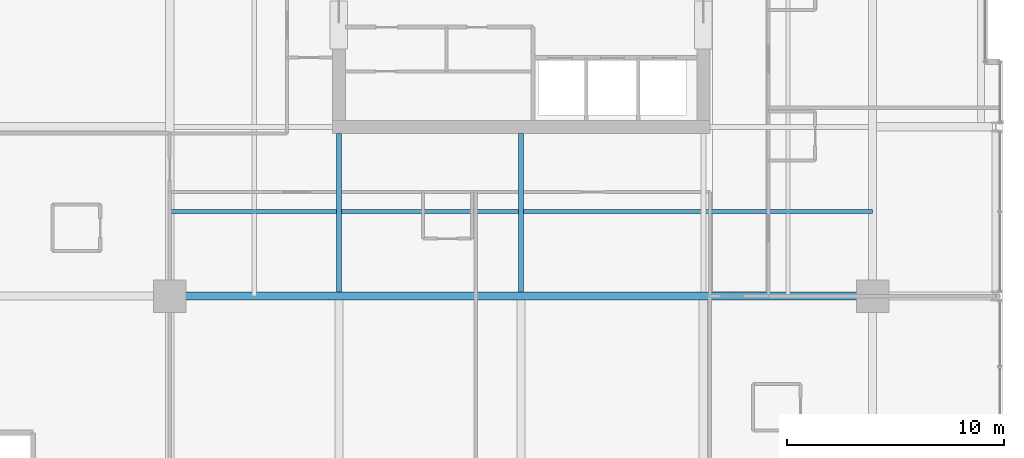
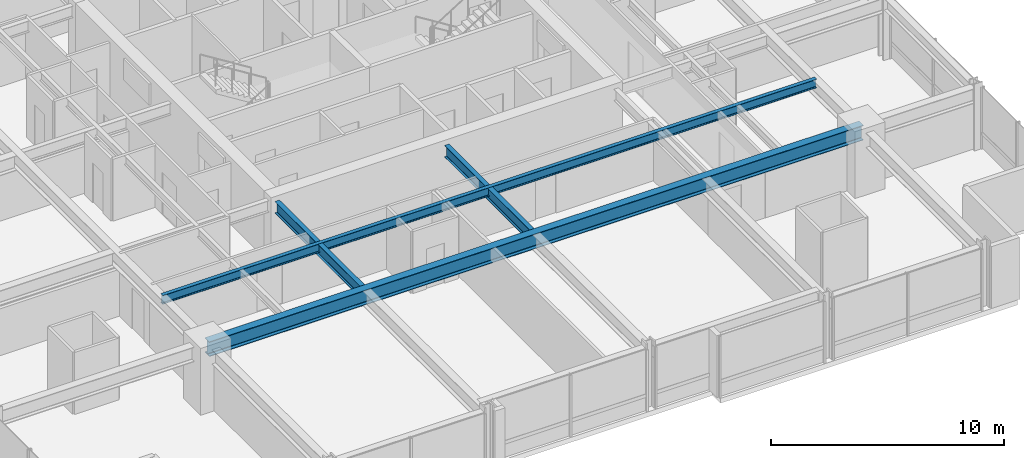
# One storey, part 6 of 33: 4 beams.
"""IFC4 building model written with IfcOpenShell, lengths in metres."""

from ifc_helpers import new_model, si_unit, direction, frame, origin, origin_2d, place, context, subcontext, project, spatial, i_section, extrude, material, material_profile, profile_set, type_object, element, save


model = new_model("IFC4")

# Units and contexts
model_context = context("Model", 3, precision=1e-05, world=origin(), true_north=direction((0.0, 1.0)))
body_context = subcontext(model_context, "Body", "Model", "MODEL_VIEW")
ifc_project = project(units=[si_unit("LENGTHUNIT", "METRE"), si_unit("AREAUNIT", "SQUARE_METRE"), si_unit("VOLUMEUNIT", "CUBIC_METRE"), si_unit("PLANEANGLEUNIT", "RADIAN"), si_unit("MASSUNIT", "GRAM", prefix="KILO")], contexts=[model_context])

# Site, building, storey
site_placement = place(None, origin())
site = spatial("IfcSite", under=ifc_project, at=site_placement, CompositionType="ELEMENT")
building_placement = place(site_placement, origin())
building = spatial("IfcBuilding", under=site, at=building_placement, Name="Drelvath Grand Hotel", CompositionType="ELEMENT")
storey_placement = place(building_placement, frame((0.0, 0.0, 105.800048828125)))
storey = spatial("IfcBuildingStorey", under=building, at=storey_placement, Name="L26", CompositionType="ELEMENT", Elevation=105.800048828125)

# Beams
ifc_material = material(Name="Steel ASTM A992 Gr 50", Category="steel")
ifc_material_profile_1 = material_profile(ifc_material, i_section(OverallWidth=0.19140625, OverallDepth=0.4599609375, WebThickness=0.010009765625, FlangeThickness=0.01611328125, FilletRadius=0.01611328125, at=origin_2d()), Name="W18X55")
ifc_profile_set_1 = profile_set([ifc_material_profile_1], Name="Steel ASTM A992 Gr 50")
beam_type_1 = type_object("IfcBeamType", Name="Composite Floor Joist W18X55", PredefinedType="JOIST", material=ifc_profile_set_1)
beam_1_placement = place(storey_placement, frame((-16.199951171875, 14.699951171875, 3.010009765625), z_axis=(1.0, 0.0, 0.0), x_axis=(0.0, 1.0, 0.0)))
element("IfcBeam", 1, at=beam_1_placement, inside=storey, type_object=beam_type_1, Name="L26 Floor Joist J1", PredefinedType="JOIST", context=body_context, shape_type="SweptSolid", body=[
    extrude(i_section(OverallWidth=0.19140625, OverallDepth=0.4599609375, WebThickness=0.010009765625, FlangeThickness=0.01611328125, FilletRadius=0.01611328125, at=origin_2d()), origin(), (0.0, 0.0, 1.0), 32.39990234375),
])
ifc_material_profile_2 = material_profile(ifc_material, i_section(OverallWidth=0.228271484375, OverallDepth=0.607666015625, WebThickness=0.01123046875, FlangeThickness=0.017333984375, FilletRadius=0.02001953125, at=origin_2d()), Name="W24X76")
ifc_profile_set_2 = profile_set([ifc_material_profile_2], Name="Steel ASTM A992 Gr 50")
beam_type_2 = type_object("IfcBeamType", Name="Primary Floor Girder W24X76", PredefinedType="BEAM", material=ifc_profile_set_2)
for number, where, z_axis, x_axis, name in (
    (2, (-8.39990234375, 10.990234375, 2.93603515625), (0.0, 1.0, 0.0), (-1.0, 0.0, 0.0), "L26 South Core Tie 4"),
    (3, (0.0, 10.990234375, 2.93603515625), (0.0, 1.0, 0.0), (-1.0, 0.0, 0.0), "L26 South Core Tie 5"),
):
    element("IfcBeam", number, at=place(storey_placement, frame(where, z_axis=z_axis, x_axis=x_axis)), inside=storey, type_object=beam_type_2, Name=name, PredefinedType="BEAM", context=body_context, shape_type="SweptSolid", body=[
        extrude(i_section(OverallWidth=0.228271484375, OverallDepth=0.607666015625, WebThickness=0.01123046875, FlangeThickness=0.017333984375, FilletRadius=0.02001953125, at=origin_2d()), origin(), (0.0, 0.0, 1.0), 7.309814453125),
    ])
ifc_material_profile_3 = material_profile(ifc_material, i_section(OverallWidth=0.380615234375, OverallDepth=0.773193359375, WebThickness=0.0166015625, FlangeThickness=0.027099609375, FilletRadius=0.02490234375, at=origin_2d()), Name="W30X173")
ifc_profile_set_3 = profile_set([ifc_material_profile_3], Name="Steel ASTM A992 Gr 50")
beam_type_3 = type_object("IfcBeamType", Name="Primary Floor Girder W30X173", PredefinedType="BEAM", material=ifc_profile_set_3)
beam_2_placement = place(storey_placement, frame((-16.199951171875, 10.800048828125, 2.853271484375), z_axis=(1.0, 0.0, 0.0), x_axis=(0.0, 1.0, 0.0)))
element("IfcBeam", 4, at=beam_2_placement, inside=storey, type_object=beam_type_3, Name="L26 Mega Ring Girder South", PredefinedType="BEAM", context=body_context, shape_type="SweptSolid", body=[
    extrude(i_section(OverallWidth=0.380615234375, OverallDepth=0.773193359375, WebThickness=0.0166015625, FlangeThickness=0.027099609375, FilletRadius=0.02490234375, at=origin_2d()), origin(), (0.0, 0.0, 1.0), 32.39990234375),
])

save(model, "model.ifc")
